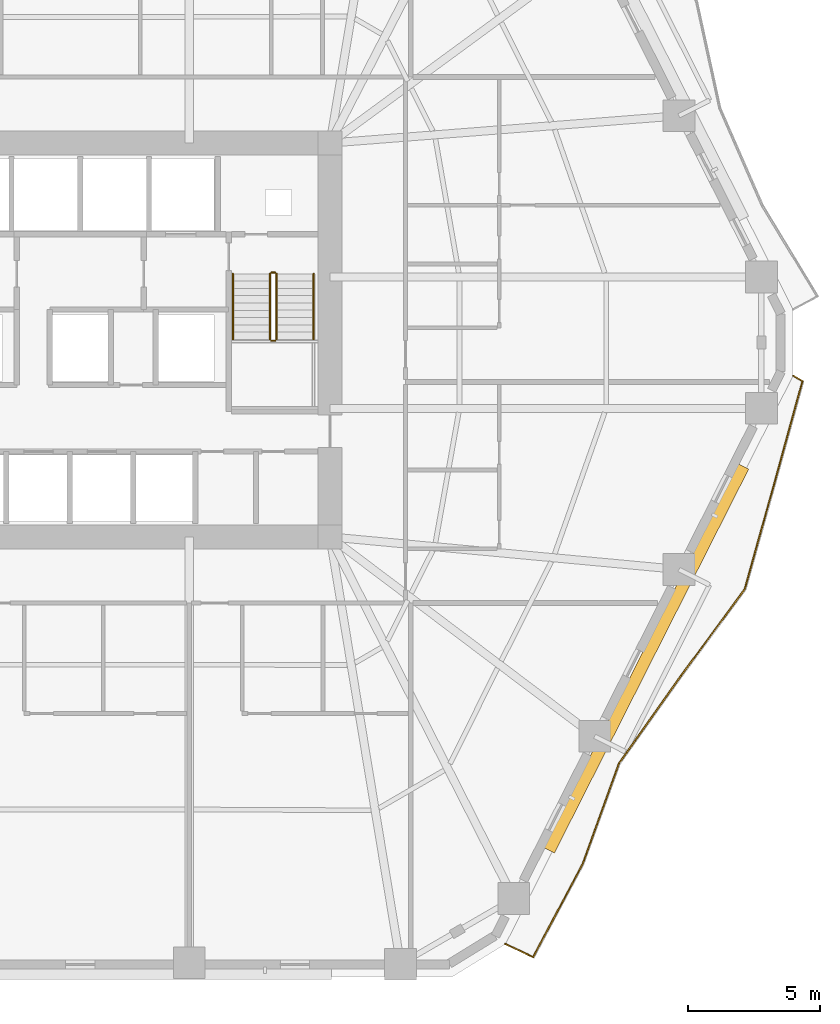
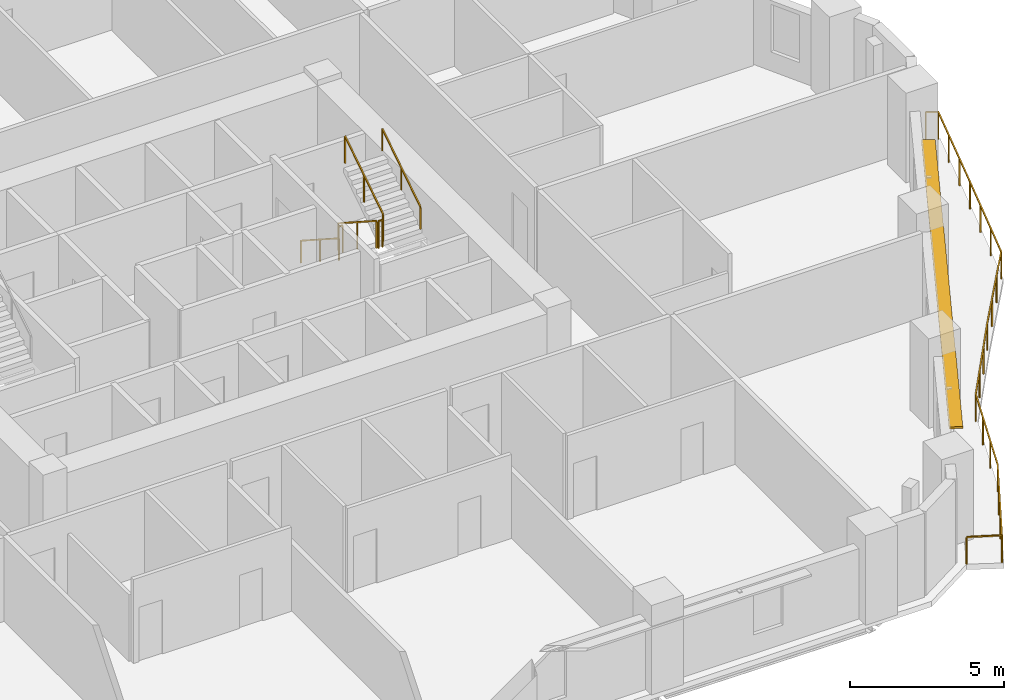
# One storey, part 13 of 14: 7 railings, 1 shading device.
"""IFC4 building model written with IfcOpenShell, lengths in metres."""

from ifc_helpers import new_model, si_unit, direction, frame, origin, origin_2d, place, context, subcontext, project, spatial, rectangle, extrude, material, layer, layer_set, type_object, element, save


model = new_model("IFC4")

# Units and contexts
model_context = context("Model", 3, precision=1e-05, world=origin(), true_north=direction((0.0, 1.0)))
body_context = subcontext(model_context, "Body", "Model", "MODEL_VIEW")
ifc_project = project(units=[si_unit("LENGTHUNIT", "METRE"), si_unit("AREAUNIT", "SQUARE_METRE"), si_unit("VOLUMEUNIT", "CUBIC_METRE"), si_unit("PLANEANGLEUNIT", "RADIAN"), si_unit("MASSUNIT", "GRAM", prefix="KILO")], contexts=[model_context])

# Site, building, storey
site_placement = place(None, origin())
site = spatial("IfcSite", under=ifc_project, at=site_placement, CompositionType="ELEMENT")
building_placement = place(site_placement, origin())
building = spatial("IfcBuilding", under=site, at=building_placement, Name="Cinnabar Lancet Tower", CompositionType="ELEMENT")
storey_placement = place(building_placement, frame((0.0, 0.0, 39.10009765625)))
storey = spatial("IfcBuildingStorey", under=building, at=storey_placement, Name="L09", CompositionType="ELEMENT", Elevation=39.10009765625)

# Railing
ifc_material_1 = material(Name="Laminated safety glass and bronze stainless steel balustrade", Category="steel")
railing_type_1 = type_object("IfcRailingType", Name="ENV-RLG-BAL-1100", PredefinedType="BALUSTRADE", material=ifc_material_1)
railing_1_placement = place(storey_placement, frame((48.488037109375, 3.049072265625, 0.0)))
element("IfcRailing", 1, at=railing_1_placement, inside=storey, type_object=railing_type_1, Name="L09 Face 2 Wave Balcony Balustrade", PredefinedType="BALUSTRADE", context=body_context, shape_type="SweptSolid", body=[
    extrude(rectangle(XDim=0.048095703125, YDim=0.048095703125, at=origin_2d()), frame((0.0, 0.0, 1.076171875), z_axis=(0.904185133292, -0.42714077859, 0.0), x_axis=(0.42714077859, 0.904185133292, 0.0)), (0.0, 0.0, 1.0), 1.154541015625),
    extrude(rectangle(XDim=0.048095703125, YDim=0.048095703125, at=origin_2d()), frame((1.0439453125, -0.4931640625, 1.076171875), z_axis=(0.469054281306, 0.883169338909, 0.0), x_axis=(-0.883169338909, 0.469054281306, 0.0)), (0.0, 0.0, 1.0), 4.00830078125),
    extrude(rectangle(XDim=0.048095703125, YDim=0.048095703125, at=origin_2d()), frame((2.924072265625, 3.046875, 1.076171875), z_axis=(0.339785627364, 0.940502911977, 0.0), x_axis=(-0.940502911977, 0.339785627364, 0.0)), (0.0, 0.0, 1.0), 4.037353515625),
    extrude(rectangle(XDim=0.048095703125, YDim=0.048095703125, at=origin_2d()), frame((4.2958984375, 6.843994140625, 1.076171875), z_axis=(0.577868456079, 0.816129920704, 0.0), x_axis=(-0.816129920704, 0.577868456079, 0.0)), (0.0, 0.0, 1.0), 4.049560546875),
    extrude(rectangle(XDim=0.048095703125, YDim=0.048095703125, at=origin_2d()), frame((6.635986328125, 10.14892578125, 1.076171875), z_axis=(0.593110865148, 0.805120799411, 0.0), x_axis=(-0.805120799411, 0.593110865148, 0.0)), (0.0, 0.0, 1.0), 4.0615234375),
    extrude(rectangle(XDim=0.048095703125, YDim=0.048095703125, at=origin_2d()), frame((9.044921875, 13.4189453125, 1.076171875), z_axis=(0.269663192578, 0.962954704318, 0.0), x_axis=(-0.962954704318, 0.269663192578, 0.0)), (0.0, 0.0, 1.0), 4.083251953125),
    extrude(rectangle(XDim=0.048095703125, YDim=0.048095703125, at=origin_2d()), frame((10.14599609375, 17.350830078125, 1.076171875), z_axis=(0.265638102847, 0.964072817953, 0.0), x_axis=(-0.964072817953, 0.265638102847, 0.0)), (0.0, 0.0, 1.0), 4.088134765625),
    extrude(rectangle(XDim=0.048095703125, YDim=0.048095703125, at=origin_2d()), frame((11.23193359375, 21.2919921875, 1.076171875), z_axis=(-0.858856279917, 0.512216644056, 0.0), x_axis=(-0.512216644056, -0.858856279917, 0.0)), (0.0, 0.0, 1.0), 0.409912109375),
    extrude(rectangle(XDim=0.0419921875, YDim=0.0419921875, at=origin_2d()), origin(), (0.0, 0.0, 1.0), 1.052001953125),
    extrude(rectangle(XDim=0.0419921875, YDim=0.0419921875, at=origin_2d()), frame((1.0439453125, -0.4931640625, 0.0)), (0.0, 0.0, 1.0), 1.052001953125),
    extrude(rectangle(XDim=0.0419921875, YDim=0.0419921875, at=origin_2d()), frame((1.670654296875, 0.686767578125, 0.0)), (0.0, 0.0, 1.0), 1.052001953125),
    extrude(rectangle(XDim=0.0419921875, YDim=0.0419921875, at=origin_2d()), frame((2.29736328125, 1.866943359375, 0.0)), (0.0, 0.0, 1.0), 1.052001953125),
    extrude(rectangle(XDim=0.0419921875, YDim=0.0419921875, at=origin_2d()), frame((2.924072265625, 3.046875, 0.0)), (0.0, 0.0, 1.0), 1.052001953125),
    extrude(rectangle(XDim=0.0419921875, YDim=0.0419921875, at=origin_2d()), frame((3.38134765625, 4.3125, 0.0)), (0.0, 0.0, 1.0), 1.052001953125),
    extrude(rectangle(XDim=0.0419921875, YDim=0.0419921875, at=origin_2d()), frame((3.838623046875, 5.578369140625, 0.0)), (0.0, 0.0, 1.0), 1.052001953125),
    extrude(rectangle(XDim=0.0419921875, YDim=0.0419921875, at=origin_2d()), frame((4.2958984375, 6.843994140625, 0.0)), (0.0, 0.0, 1.0), 1.052001953125),
    extrude(rectangle(XDim=0.0419921875, YDim=0.0419921875, at=origin_2d()), frame((5.075927734375, 7.945556640625, 0.0)), (0.0, 0.0, 1.0), 1.052001953125),
    extrude(rectangle(XDim=0.0419921875, YDim=0.0419921875, at=origin_2d()), frame((5.85595703125, 9.04736328125, 0.0)), (0.0, 0.0, 1.0), 1.052001953125),
    extrude(rectangle(XDim=0.0419921875, YDim=0.0419921875, at=origin_2d()), frame((6.635986328125, 10.14892578125, 0.0)), (0.0, 0.0, 1.0), 1.052001953125),
    extrude(rectangle(XDim=0.0419921875, YDim=0.0419921875, at=origin_2d()), frame((7.43896484375, 11.239013671875, 0.0)), (0.0, 0.0, 1.0), 1.052001953125),
    extrude(rectangle(XDim=0.0419921875, YDim=0.0419921875, at=origin_2d()), frame((8.241943359375, 12.328857421875, 0.0)), (0.0, 0.0, 1.0), 1.052001953125),
    extrude(rectangle(XDim=0.0419921875, YDim=0.0419921875, at=origin_2d()), frame((9.044921875, 13.4189453125, 0.0)), (0.0, 0.0, 1.0), 1.052001953125),
    extrude(rectangle(XDim=0.0419921875, YDim=0.0419921875, at=origin_2d()), frame((9.411865234375, 14.7294921875, 0.0)), (0.0, 0.0, 1.0), 1.052001953125),
    extrude(rectangle(XDim=0.0419921875, YDim=0.0419921875, at=origin_2d()), frame((9.779052734375, 16.040283203125, 0.0)), (0.0, 0.0, 1.0), 1.052001953125),
    extrude(rectangle(XDim=0.0419921875, YDim=0.0419921875, at=origin_2d()), frame((10.14599609375, 17.350830078125, 0.0)), (0.0, 0.0, 1.0), 1.052001953125),
    extrude(rectangle(XDim=0.0419921875, YDim=0.0419921875, at=origin_2d()), frame((10.508056640625, 18.66455078125, 0.0)), (0.0, 0.0, 1.0), 1.052001953125),
    extrude(rectangle(XDim=0.0419921875, YDim=0.0419921875, at=origin_2d()), frame((10.869873046875, 19.978271484375, 0.0)), (0.0, 0.0, 1.0), 1.052001953125),
    extrude(rectangle(XDim=0.0419921875, YDim=0.0419921875, at=origin_2d()), frame((11.23193359375, 21.2919921875, 0.0)), (0.0, 0.0, 1.0), 1.052001953125),
    extrude(rectangle(XDim=0.0419921875, YDim=0.0419921875, at=origin_2d()), frame((10.8798828125, 21.501953125, 0.0)), (0.0, 0.0, 1.0), 1.052001953125),
])

# Shading device
ifc_material_2 = material(Name="Pale limestone architectural aluminium sunshade", Category="masonry")
ifc_layer = layer(ifc_material_2, 0.080078125)
ifc_layer_set = layer_set([ifc_layer], Name="Pale limestone architectural aluminium sunshade")
shading_device_type = type_object("IfcShadingDeviceType", Name="ENV-SHD-LVR-450", PredefinedType="JALOUSIE", material=ifc_layer_set)
shading_device_placement = place(storey_placement, frame((53.81005859375, 13.85595703125, 2.639892578125), z_axis=(0.0, 0.0, 1.0), x_axis=(0.451500573218, 0.892270829056, 0.0)))
element("IfcShadingDevice", 2, at=shading_device_placement, inside=storey, type_object=shading_device_type, Name="L09 Face 2 Horizontal Sunshade Canopy", PredefinedType="JALOUSIE", context=body_context, shape_type="SweptSolid", body=[
    extrude(rectangle(XDim=16.279052734375, YDim=0.449951171875, at=origin_2d()), origin(), (0.0, 0.0, 1.0), 0.080078125),
])

# Railings
ifc_material_3 = material(Name="Painted galvanized steel balustrade", Category="steel")
railing_type_2 = type_object("IfcRailingType", Name="GUARD-STAIR", PredefinedType="GUARDRAIL", material=ifc_material_3)
railing_2_placement = place(storey_placement, frame((39.574951171875, 28.39990234375, 0.177490234375)))
element("IfcRailing", 3, at=railing_2_placement, inside=storey, type_object=railing_type_2, Name="L09 ST-2 stair guard 1", PredefinedType="GUARDRAIL", context=body_context, shape_type="SweptSolid", body=[
    extrude(rectangle(XDim=0.048095703125, YDim=0.048095703125, at=origin_2d()), frame((0.0, 0.0, 1.076171875), z_axis=(0.0, -0.840183358697, 0.542302428327), x_axis=(1.0, 0.0, 0.0)), (0.0, 0.0, 1.0), 2.945556640625),
    extrude(rectangle(XDim=0.0419921875, YDim=0.0419921875, at=origin_2d()), origin(), (0.0, 0.0, 1.0), 1.052001953125),
    extrude(rectangle(XDim=0.0419921875, YDim=0.0419921875, at=origin_2d()), frame((0.0, -1.2373046875, 0.798828125)), (0.0, 0.0, 1.0), 1.052001953125),
    extrude(rectangle(XDim=0.0419921875, YDim=0.0419921875, at=origin_2d()), frame((0.0, -2.474853515625, 1.597412109375)), (0.0, 0.0, 1.0), 1.052001953125),
])
railing_3_placement = place(storey_placement, frame((39.625, 25.875, 1.77490234375)))
element("IfcRailing", 4, at=railing_3_placement, inside=storey, type_object=railing_type_2, Name="L09 ST-2 stair guard 2", PredefinedType="GUARDRAIL", context=body_context, shape_type="SweptSolid", body=[
    extrude(rectangle(XDim=0.048095703125, YDim=0.048095703125, at=origin_2d()), frame((0.0, 0.0, 1.076171875), z_axis=(1.0, 0.0, 0.0), x_axis=(0.0, 1.0, 0.0)), (0.0, 0.0, 1.0), 0.14990234375),
    extrude(rectangle(XDim=0.0419921875, YDim=0.0419921875, at=origin_2d()), origin(), (0.0, 0.0, 1.0), 1.052001953125),
    extrude(rectangle(XDim=0.0419921875, YDim=0.0419921875, at=origin_2d()), frame((0.14990234375, 0.0, 0.0)), (0.0, 0.0, 1.0), 1.052001953125),
])
railing_4_placement = place(storey_placement, frame((39.824951171875, 25.925048828125, 1.952392578125)))
element("IfcRailing", 5, at=railing_4_placement, inside=storey, type_object=railing_type_2, Name="L09 ST-2 stair guard 3", PredefinedType="GUARDRAIL", context=body_context, shape_type="SweptSolid", body=[
    extrude(rectangle(XDim=0.048095703125, YDim=0.048095703125, at=origin_2d()), frame((0.0, 0.0, 1.076171875), z_axis=(0.0, 0.840183358697, 0.542302428327), x_axis=(-1.0, 0.0, 0.0)), (0.0, 0.0, 1.0), 2.945556640625),
    extrude(rectangle(XDim=0.0419921875, YDim=0.0419921875, at=origin_2d()), origin(), (0.0, 0.0, 1.0), 1.052001953125),
    extrude(rectangle(XDim=0.0419921875, YDim=0.0419921875, at=origin_2d()), frame((0.0, 1.2373046875, 0.798828125)), (0.0, 0.0, 1.0), 1.052001953125),
    extrude(rectangle(XDim=0.0419921875, YDim=0.0419921875, at=origin_2d()), frame((0.0, 2.474853515625, 1.597412109375)), (0.0, 0.0, 1.0), 1.052001953125),
])
railing_5_placement = place(storey_placement, frame((39.625, 28.449951171875, 0.0)))
element("IfcRailing", 6, at=railing_5_placement, inside=storey, type_object=railing_type_2, Name="L09 ST-2 stair guard 4", PredefinedType="GUARDRAIL", context=body_context, shape_type="SweptSolid", body=[
    extrude(rectangle(XDim=0.048095703125, YDim=0.048095703125, at=origin_2d()), frame((0.0, 0.0, 1.076171875), z_axis=(1.0, 0.0, 0.0), x_axis=(0.0, 1.0, 0.0)), (0.0, 0.0, 1.0), 0.14990234375),
    extrude(rectangle(XDim=0.0419921875, YDim=0.0419921875, at=origin_2d()), origin(), (0.0, 0.0, 1.0), 1.052001953125),
    extrude(rectangle(XDim=0.0419921875, YDim=0.0419921875, at=origin_2d()), frame((0.14990234375, 0.0, 0.0)), (0.0, 0.0, 1.0), 1.052001953125),
])
ifc_material_4 = material(Name="Brushed stainless steel handrail", Category="steel")
railing_type_3 = type_object("IfcRailingType", Name="HANDRAIL-STAIR", PredefinedType="HANDRAIL", material=ifc_material_4)
railing_6_placement = place(storey_placement, frame((38.175048828125, 28.39990234375, 0.177490234375)))
element("IfcRailing", 7, at=railing_6_placement, inside=storey, type_object=railing_type_3, Name="L09 ST-2 stair handrail 1", PredefinedType="HANDRAIL", context=body_context, shape_type="SweptSolid", body=[
    extrude(rectangle(XDim=0.048095703125, YDim=0.048095703125, at=origin_2d()), frame((0.0, 0.0, 0.8759765625), z_axis=(0.0, -0.840183358697, 0.542302428327), x_axis=(1.0, 0.0, 0.0)), (0.0, 0.0, 1.0), 2.945556640625),
    extrude(rectangle(XDim=0.0419921875, YDim=0.0419921875, at=origin_2d()), origin(), (0.0, 0.0, 1.0), 0.851806640625),
    extrude(rectangle(XDim=0.0419921875, YDim=0.0419921875, at=origin_2d()), frame((0.0, -1.2373046875, 0.798828125)), (0.0, 0.0, 1.0), 0.851806640625),
    extrude(rectangle(XDim=0.0419921875, YDim=0.0419921875, at=origin_2d()), frame((0.0, -2.474853515625, 1.597412109375)), (0.0, 0.0, 1.0), 0.851806640625),
])
railing_7_placement = place(storey_placement, frame((41.22509765625, 25.925048828125, 1.952392578125)))
element("IfcRailing", 8, at=railing_7_placement, inside=storey, type_object=railing_type_3, Name="L09 ST-2 stair handrail 2", PredefinedType="HANDRAIL", context=body_context, shape_type="SweptSolid", body=[
    extrude(rectangle(XDim=0.048095703125, YDim=0.048095703125, at=origin_2d()), frame((0.0, 0.0, 0.8759765625), z_axis=(0.0, 0.840183358697, 0.542302428327), x_axis=(-1.0, 0.0, 0.0)), (0.0, 0.0, 1.0), 2.945556640625),
    extrude(rectangle(XDim=0.0419921875, YDim=0.0419921875, at=origin_2d()), origin(), (0.0, 0.0, 1.0), 0.851806640625),
    extrude(rectangle(XDim=0.0419921875, YDim=0.0419921875, at=origin_2d()), frame((0.0, 1.2373046875, 0.798828125)), (0.0, 0.0, 1.0), 0.851806640625),
    extrude(rectangle(XDim=0.0419921875, YDim=0.0419921875, at=origin_2d()), frame((0.0, 2.474853515625, 1.597412109375)), (0.0, 0.0, 1.0), 0.851806640625),
])

save(model, "model.ifc")
